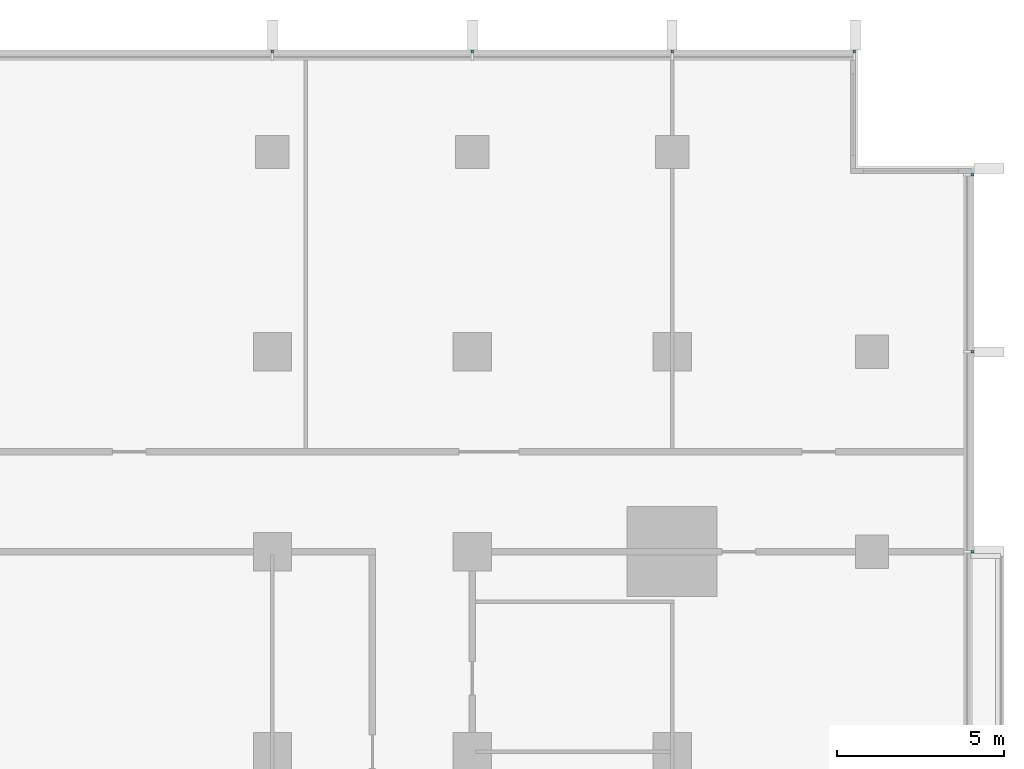
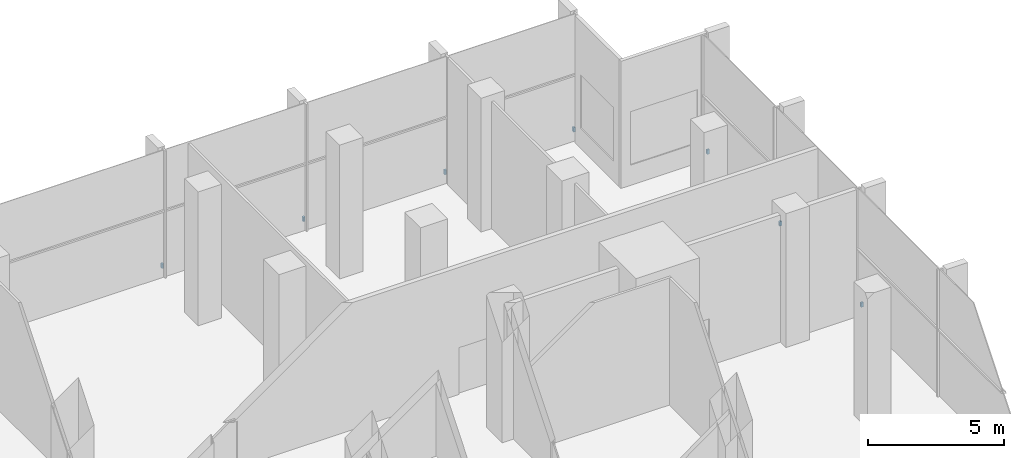
# One storey, part 14 of 16: 7 discrete accessories.
"""IFC4 building model written with IfcOpenShell, lengths in metres."""

from ifc_helpers import new_model, si_unit, direction, frame, origin, origin_2d, place, context, subcontext, project, spatial, rectangle, extrude, material, type_object, element, save


model = new_model("IFC4")

# Units and contexts
model_context = context("Model", 3, precision=1e-05, world=origin(), true_north=direction((0.0, 1.0)))
body_context = subcontext(model_context, "Body", "Model", "MODEL_VIEW")
ifc_project = project(units=[si_unit("LENGTHUNIT", "METRE"), si_unit("AREAUNIT", "SQUARE_METRE"), si_unit("VOLUMEUNIT", "CUBIC_METRE"), si_unit("PLANEANGLEUNIT", "RADIAN"), si_unit("MASSUNIT", "GRAM", prefix="KILO")], contexts=[model_context])

# Site, building, storey
site_placement = place(None, origin())
site = spatial("IfcSite", under=ifc_project, at=site_placement, CompositionType="ELEMENT")
building_placement = place(site_placement, origin())
building = spatial("IfcBuilding", under=site, at=building_placement, Name="Finial Court Residences", CompositionType="ELEMENT")
storey_placement = place(building_placement, frame((0.0, 0.0, 127.89990234375)))
storey = spatial("IfcBuildingStorey", under=building, at=storey_placement, Name="L32", CompositionType="ELEMENT", Elevation=127.89990234375)

# Discrete accessories
ifc_material = material(Name="Stainless steel 316", Category="steel")
discrete_accessory_type = type_object("IfcDiscreteAccessoryType", Name="Fin bracket, stainless steel 75 x 98 x 200", PredefinedType="BRACKET", material=ifc_material)
for number, where, z_axis, x_axis, name in (
    (1, (4.5, 22.51123046875, 0.30029296875), (0.0, 0.0, 1.0), (1.0, 0.0, 0.0), "E-L32-FIN-N5-BRK"),
    (2, (10.5, 22.51123046875, 0.30029296875), (0.0, 0.0, 1.0), (1.0, 0.0, 0.0), "E-L32-FIN-N6-BRK"),
    (3, (16.5, 22.51123046875, 0.30029296875), (0.0, 0.0, 1.0), (1.0, 0.0, 0.0), "E-L32-FIN-N7-BRK"),
    (4, (21.96240234375, 22.51123046875, 0.30029296875), (0.0, 0.0, 1.0), (1.0, 0.0, 0.0), "E-L32-FIN-N8-BRK"),
):
    element("IfcDiscreteAccessory", number, at=place(storey_placement, frame(where, z_axis=z_axis, x_axis=x_axis)), inside=storey, type_object=discrete_accessory_type, Name=name, PredefinedType="BRACKET", context=body_context, shape_type="SweptSolid", body=[
        extrude(rectangle(XDim=0.074951171875, YDim=0.097412109375, at=origin_2d()), origin(), (0.0, 0.0, 1.0), 0.199951171875),
    ])
for number, where, z_axis, x_axis, name in (
    (5, (25.51123046875, 7.5, 0.30029296875), (0.0, 0.0, 1.0), (1.0, 0.0, 0.0), "E-L32-FIN-E13-BRK"),
    (6, (25.51123046875, 13.5, 0.30029296875), (0.0, 0.0, 1.0), (1.0, 0.0, 0.0), "E-L32-FIN-E14-BRK"),
    (7, (25.51123046875, 18.8125, 0.30029296875), (0.0, 0.0, 1.0), (1.0, 0.0, 0.0), "E-L32-FIN-E15-BRK"),
):
    element("IfcDiscreteAccessory", number, at=place(storey_placement, frame(where, z_axis=z_axis, x_axis=x_axis)), inside=storey, type_object=discrete_accessory_type, Name=name, PredefinedType="BRACKET", context=body_context, shape_type="SweptSolid", body=[
        extrude(rectangle(XDim=0.097412109375, YDim=0.074951171875, at=origin_2d()), origin(), (0.0, 0.0, 1.0), 0.199951171875),
    ])

save(model, "model.ifc")
